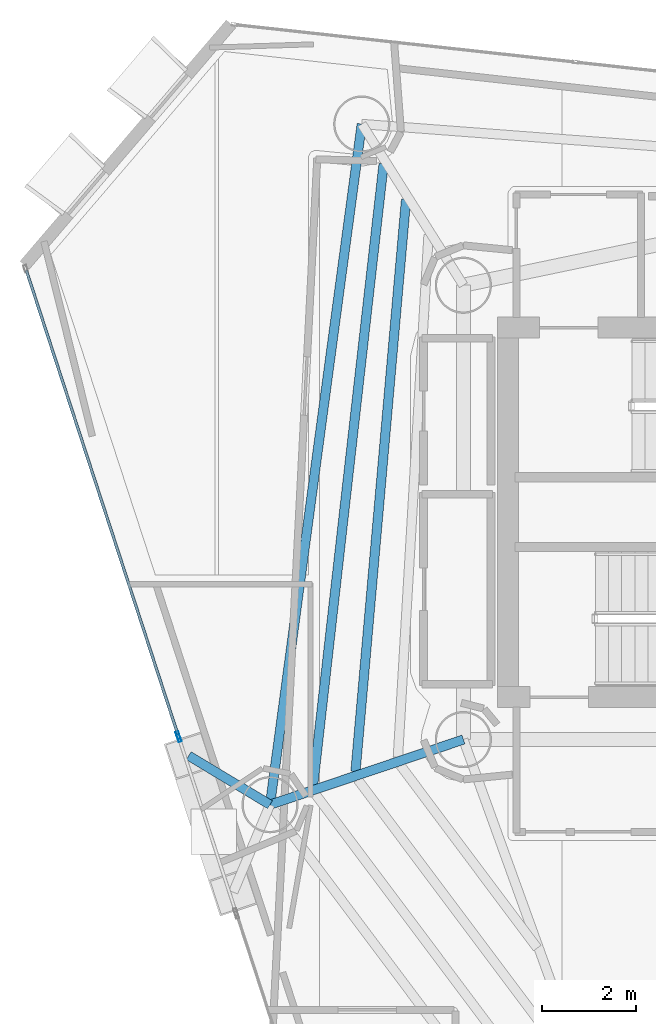
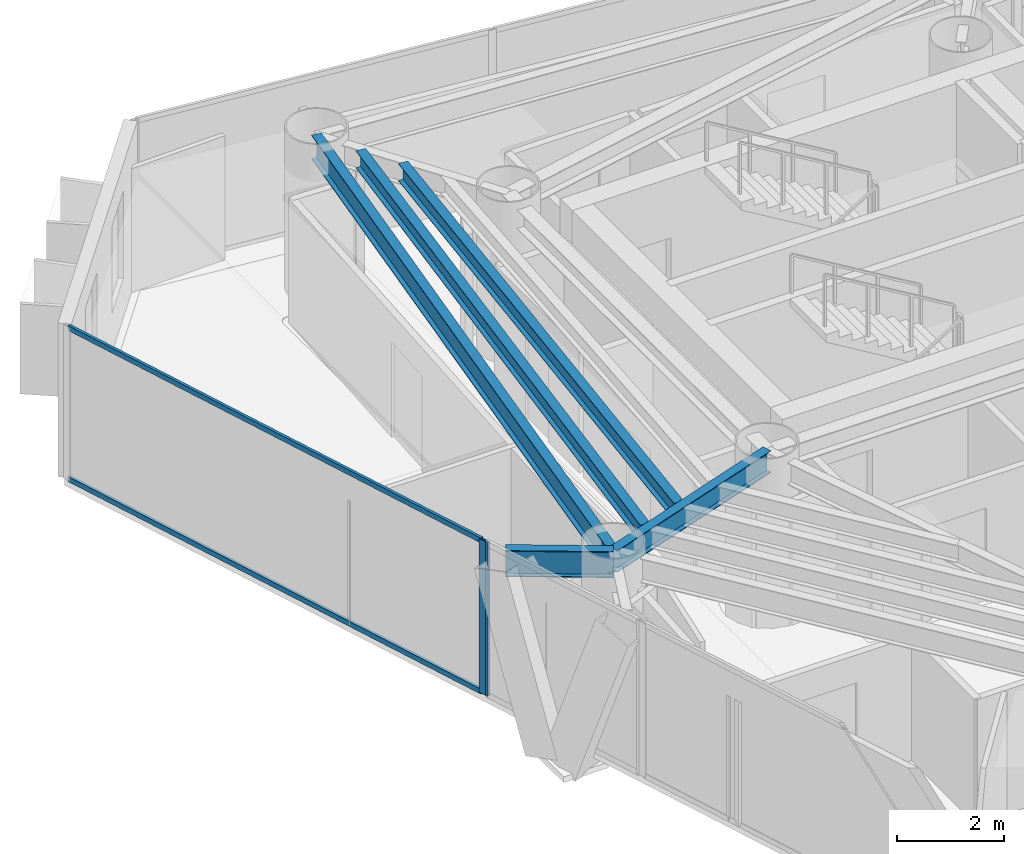
# One storey, part 8 of 24: 5 beams, 4 members, 2 elements without a shape of their own.
"""IFC4 building model written with IfcOpenShell, lengths in metres."""

from ifc_helpers import new_model, si_unit, direction, frame, origin, origin_2d, place, context, subcontext, project, spatial, hollow_rectangle, i_section, extrude, material, layer, layer_set, material_profile, profile_set, type_object, element, aggregate, save


model = new_model("IFC4")

# Units and contexts
model_context = context("Model", 3, precision=1e-05, world=origin(), true_north=direction((0.0, 1.0)))
body_context = subcontext(model_context, "Body", "Model", "MODEL_VIEW")
ifc_project = project(units=[si_unit("LENGTHUNIT", "METRE"), si_unit("AREAUNIT", "SQUARE_METRE"), si_unit("VOLUMEUNIT", "CUBIC_METRE"), si_unit("PLANEANGLEUNIT", "RADIAN"), si_unit("MASSUNIT", "GRAM", prefix="KILO")], contexts=[model_context])

# Site, building, storey
site_placement = place(None, origin())
site = spatial("IfcSite", under=ifc_project, at=site_placement, CompositionType="ELEMENT")
building_placement = place(site_placement, origin())
building = spatial("IfcBuilding", under=site, at=building_placement, Name="Qianvela Tower", CompositionType="ELEMENT")
storey_placement = place(building_placement, frame((0.0, 0.0, 222.5)))
storey = spatial("IfcBuildingStorey", under=building, at=storey_placement, Name="L57", CompositionType="ELEMENT", Elevation=222.5)

# Beams
ifc_material_1 = material(Name="Steel Q355B", Category="steel")
ifc_material_profile_1 = material_profile(ifc_material_1, i_section(OverallWidth=0.199951171875, OverallDepth=0.39990234375, WebThickness=0.008056640625, FlangeThickness=0.012939453125, at=origin_2d()), Name="HN400x200x8x13")
ifc_profile_set_1 = profile_set([ifc_material_profile_1], Name="Steel Q355B")
beam_type_1 = type_object("IfcBeamType", Name="BM-HN400-JOIST", PredefinedType="JOIST", material=ifc_profile_set_1)
beam_1_placement = place(storey_placement, frame((27.376953125, 35.3818359375, 3.318115234375), z_axis=(-0.088081491788, -0.996113272075, 0.0), x_axis=(0.996113272075, -0.088081491788, 0.0)))
element("IfcBeam", 1, at=beam_1_placement, inside=storey, type_object=beam_type_1, Name="L57 Secondary Composite Floor Joist 3.2", PredefinedType="JOIST", context=body_context, shape_type="SweptSolid", body=[
    extrude(i_section(OverallWidth=0.199951171875, OverallDepth=0.39990234375, WebThickness=0.008056640625, FlangeThickness=0.012939453125, at=origin_2d()), origin(), (0.0, 0.0, 1.0), 12.26220703125),
])
beam_2_placement = place(storey_placement, frame((26.8974609375, 36.139404296875, 3.318115234375), z_axis=(-0.112721124494, -0.993626664343, 0.0), x_axis=(0.993626664343, -0.112721124494, 0.0)))
element("IfcBeam", 2, at=beam_2_placement, inside=storey, type_object=beam_type_1, Name="L57 Secondary Composite Floor Joist 3.3", PredefinedType="JOIST", context=body_context, shape_type="SweptSolid", body=[
    extrude(i_section(OverallWidth=0.199951171875, OverallDepth=0.39990234375, WebThickness=0.008056640625, FlangeThickness=0.012939453125, at=origin_2d()), origin(), (0.0, 0.0, 1.0), 13.363525390625),
])
ifc_material_2 = material(Name="Steel Q355B", Category="steel")
ifc_material_profile_2 = material_profile(ifc_material_2, i_section(OverallWidth=0.199951171875, OverallDepth=0.5, WebThickness=0.010009765625, FlangeThickness=0.01611328125, at=origin_2d()), Name="HN500x200x10x16")
ifc_profile_set_2 = profile_set([ifc_material_profile_2], Name="Steel Q355B")
beam_type_2 = type_object("IfcBeamType", Name="BM-HN500-GIRD", PredefinedType="BEAM", material=ifc_profile_set_2)
beam_3_placement = place(storey_placement, frame((28.60009765625, 23.85009765625, 3.26806640625), z_axis=(-0.947709214586, -0.319135150976, 0.0), x_axis=(0.319135150976, -0.947709214586, 0.0)))
element("IfcBeam", 3, at=beam_3_placement, inside=storey, type_object=beam_type_2, Name="L57 Radial Primary Floor Girder 4", PredefinedType="BEAM", context=body_context, shape_type="SweptSolid", body=[
    extrude(i_section(OverallWidth=0.199951171875, OverallDepth=0.5, WebThickness=0.010009765625, FlangeThickness=0.01611328125, at=origin_2d()), origin(), (0.0, 0.0, 1.0), 4.35595703125),
])
ifc_material_3 = material(Name="Steel Q355B", Category="steel")
ifc_material_profile_3 = material_profile(ifc_material_3, i_section(OverallWidth=0.199951171875, OverallDepth=0.550048828125, WebThickness=0.010009765625, FlangeThickness=0.01611328125, at=origin_2d()), Name="HN550x200x10x16")
ifc_profile_set_3 = profile_set([ifc_material_profile_3], Name="Steel Q355B")
beam_type_3 = type_object("IfcBeamType", Name="BM-HN550-GIRD", PredefinedType="BEAM", material=ifc_profile_set_3)
beam_4_placement = place(storey_placement, frame((26.430908203125, 36.991943359375, 3.242919921875), z_axis=(-0.133596613255, -0.991035793968, 0.0), x_axis=(0.991035793968, -0.133596613255, 0.0)))
element("IfcBeam", 4, at=beam_4_placement, inside=storey, type_object=beam_type_3, Name="L57 Perimeter Ring Spandrel Girder 3", PredefinedType="BEAM", context=body_context, shape_type="SweptSolid", body=[
    extrude(i_section(OverallWidth=0.199951171875, OverallDepth=0.550048828125, WebThickness=0.010009765625, FlangeThickness=0.01611328125, at=origin_2d()), origin(), (0.0, 0.0, 1.0), 14.663330078125),
])
ifc_material_4 = material(Name="Steel Q355B", Category="steel")
ifc_material_profile_4 = material_profile(ifc_material_4, i_section(OverallWidth=0.199951171875, OverallDepth=0.60009765625, WebThickness=0.010986328125, FlangeThickness=0.01708984375, at=origin_2d()), Name="HN600x200x11x17")
ifc_profile_set_4 = profile_set([ifc_material_profile_4], Name="Steel Q355B")
beam_type_4 = type_object("IfcBeamType", Name="BM-HN600-GIRD", PredefinedType="BEAM", material=ifc_profile_set_4)
beam_5_placement = place(storey_placement, frame((24.471923828125, 22.4599609375, 3.218017578125), z_axis=(-0.856673342578, 0.515859267743, 0.0), x_axis=(-0.515859267743, -0.856673342578, 0.0)))
element("IfcBeam", 5, at=beam_5_placement, inside=storey, type_object=beam_type_4, Name="L57 Mega-Brace Column Tie Bracket F2-1", PredefinedType="BEAM", context=body_context, shape_type="SweptSolid", body=[
    extrude(i_section(OverallWidth=0.199951171875, OverallDepth=0.60009765625, WebThickness=0.010986328125, FlangeThickness=0.01708984375, at=origin_2d()), origin(), (0.0, 0.0, 1.0), 2.026611328125),
])

# Curtain wall, member
ifc_material_5 = material(Name="Anodised Architectural Aluminium and Insulated Spandrel Panel", Category="aluminium")
ifc_layer_1 = layer(ifc_material_5, 0.179931640625)
ifc_layer_set_1 = layer_set([ifc_layer_1], Name="Anodised Architectural Aluminium and Insulated Spandrel Panel")
curtain_wall_type_1 = type_object("IfcCurtainWallType", Name="CW-BRACEBAY", PredefinedType="USERDEFINED", material=ifc_layer_set_1)
curtain_wall_1_placement = place(storey_placement, origin())
curtain_wall_1 = element("IfcCurtainWall", 6, at=curtain_wall_1_placement, inside=storey, type_object=curtain_wall_type_1, Name="L57 CW-BRACEBAY Curtain Wall 04B", ObjectType="CURTAIN_WALL_SYSTEM", PredefinedType="USERDEFINED")
ifc_material_6 = material(Name="Anodised Architectural Aluminium 6063-T6", Category="aluminium")
ifc_material_profile_5 = material_profile(ifc_material_6, hollow_rectangle(XDim=0.06494140625, YDim=0.159912109375, WallThickness=0.0048828125, at=origin_2d()), Name="ALU-MULL-65x160")
ifc_profile_set_5 = profile_set([ifc_material_profile_5], Name="Anodised Architectural Aluminium 6063-T6")
member_type_1 = type_object("IfcMemberType", Name="CW-BRACEBAY-MULL", PredefinedType="MULLION", material=ifc_profile_set_5)
member_1_placement = place(storey_placement, frame((22.529541015625, 23.8798828125, 0.0), z_axis=(0.0, 0.0, 1.0), x_axis=(0.950622291811, 0.310350218806, 0.0)))
member_1 = element("IfcMember", 7, at=member_1_placement, type_object=member_type_1, Name="CW-9 mullion 1", PredefinedType="MULLION", context=body_context, shape_type="SweptSolid", body=[
    extrude(hollow_rectangle(XDim=0.06494140625, YDim=0.159912109375, WallThickness=0.0048828125, at=origin_2d()), origin(), (0.0, 0.0, 1.0), 3.52001953125),
])
aggregate(curtain_wall_1, [member_1])

# Curtain wall, members
ifc_material_7 = material(Name="Anodised Architectural Aluminium and Low-E Glass", Category="aluminium")
ifc_layer_2 = layer(ifc_material_7, 0.159912109375)
ifc_layer_set_2 = layer_set([ifc_layer_2], Name="Anodised Architectural Aluminium and Low-E Glass")
curtain_wall_type_2 = type_object("IfcCurtainWallType", Name="CW-COLIV-Z56", PredefinedType="USERDEFINED", material=ifc_layer_set_2)
curtain_wall_2_placement = place(storey_placement, origin())
curtain_wall_2 = element("IfcCurtainWall", 8, at=curtain_wall_2_placement, inside=storey, type_object=curtain_wall_type_2, Name="L57 CW-COLIV-Z56 Curtain Wall 04A", ObjectType="CURTAIN_WALL_SYSTEM", PredefinedType="USERDEFINED")
ifc_material_8 = material(Name="Anodised Architectural Aluminium 6063-T6", Category="aluminium")
ifc_material_profile_6 = material_profile(ifc_material_8, hollow_rectangle(XDim=0.06494140625, YDim=0.159912109375, WallThickness=0.0048828125, at=origin_2d()), Name="ALU-MULL-65x160")
ifc_profile_set_6 = profile_set([ifc_material_profile_6], Name="Anodised Architectural Aluminium 6063-T6")
member_type_2 = type_object("IfcMemberType", Name="CW-COLIV-Z56-MULL", PredefinedType="MULLION", material=ifc_profile_set_6)
member_2_placement = place(storey_placement, frame((22.50927734375, 23.941650390625, 0.0), z_axis=(0.0, 0.0, 1.0), x_axis=(0.950625222595, 0.310341241486, 0.0)))
member_2 = element("IfcMember", 9, at=member_2_placement, type_object=member_type_2, Name="CW-5 mullion 2", PredefinedType="MULLION", context=body_context, shape_type="SweptSolid", body=[
    extrude(hollow_rectangle(XDim=0.06494140625, YDim=0.159912109375, WallThickness=0.0048828125, at=origin_2d()), origin(), (0.0, 0.0, 1.0), 3.52001953125),
])
ifc_material_9 = material(Name="Anodised Architectural Aluminium 6063-T6", Category="aluminium")
ifc_material_profile_7 = material_profile(ifc_material_9, hollow_rectangle(XDim=0.06005859375, YDim=0.114990234375, WallThickness=0.00390625, at=origin_2d()), Name="ALU-TRAN-60x115")
ifc_profile_set_7 = profile_set([ifc_material_profile_7], Name="Anodised Architectural Aluminium 6063-T6")
member_type_3 = type_object("IfcMemberType", Name="CW-COLIV-Z56-TRAN", PredefinedType="USERDEFINED", material=ifc_profile_set_7)
member_3_placement = place(storey_placement, frame((19.2685546875, 33.86865234375, 0.030029296875), z_axis=(0.310346852751, -0.950623390722, 0.0), x_axis=(0.950623390722, 0.310346852751, 0.0)))
member_3 = element("IfcMember", 10, at=member_3_placement, type_object=member_type_3, Name="CW-5 transom 1.1", ObjectType="TRANSOM", PredefinedType="USERDEFINED", context=body_context, shape_type="SweptSolid", body=[
    extrude(hollow_rectangle(XDim=0.06005859375, YDim=0.114990234375, WallThickness=0.00390625, at=origin_2d()), origin(), (0.0, 0.0, 1.0), 10.409912109375),
])
member_4_placement = place(storey_placement, frame((19.2685546875, 33.86865234375, 3.489990234375), z_axis=(0.310346852751, -0.950623390722, 0.0), x_axis=(0.950623390722, 0.310346852751, 0.0)))
member_4 = element("IfcMember", 11, at=member_4_placement, type_object=member_type_3, Name="CW-5 transom 1.2", ObjectType="TRANSOM", PredefinedType="USERDEFINED", context=body_context, shape_type="SweptSolid", body=[
    extrude(hollow_rectangle(XDim=0.06005859375, YDim=0.114990234375, WallThickness=0.00390625, at=origin_2d()), origin(), (0.0, 0.0, 1.0), 10.409912109375),
])
aggregate(curtain_wall_2, [member_2, member_3, member_4])

save(model, "model.ifc")
